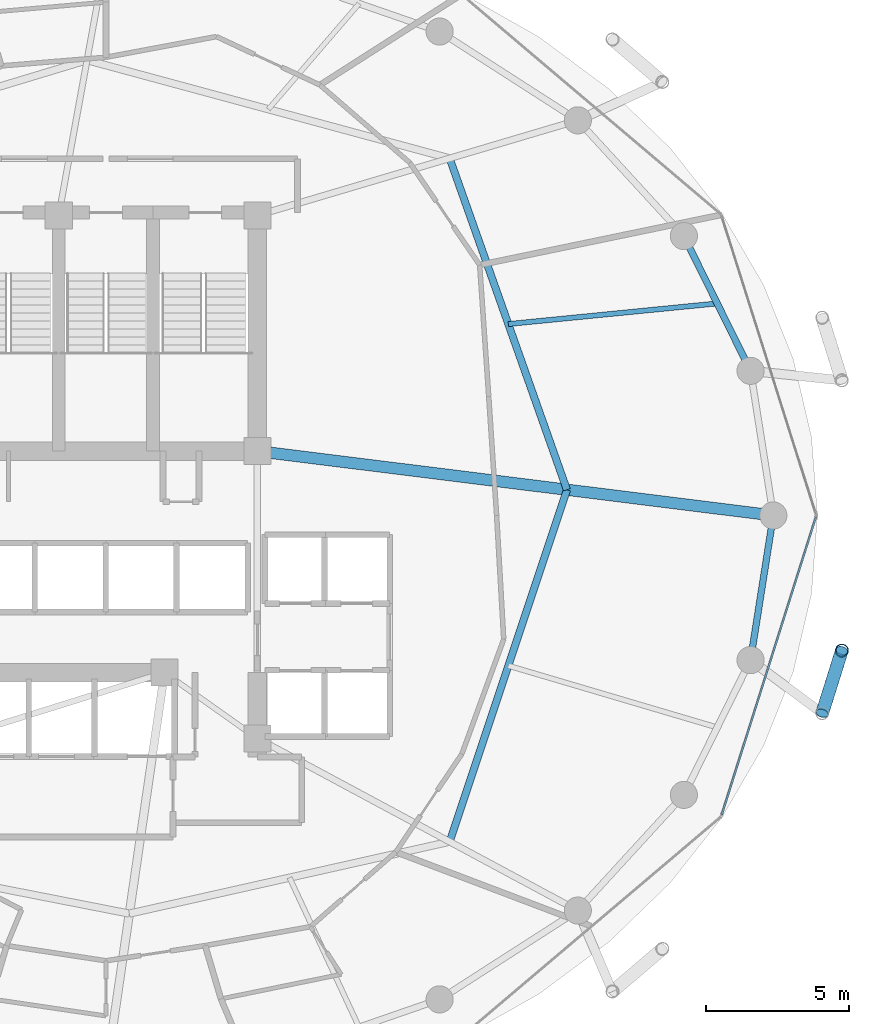
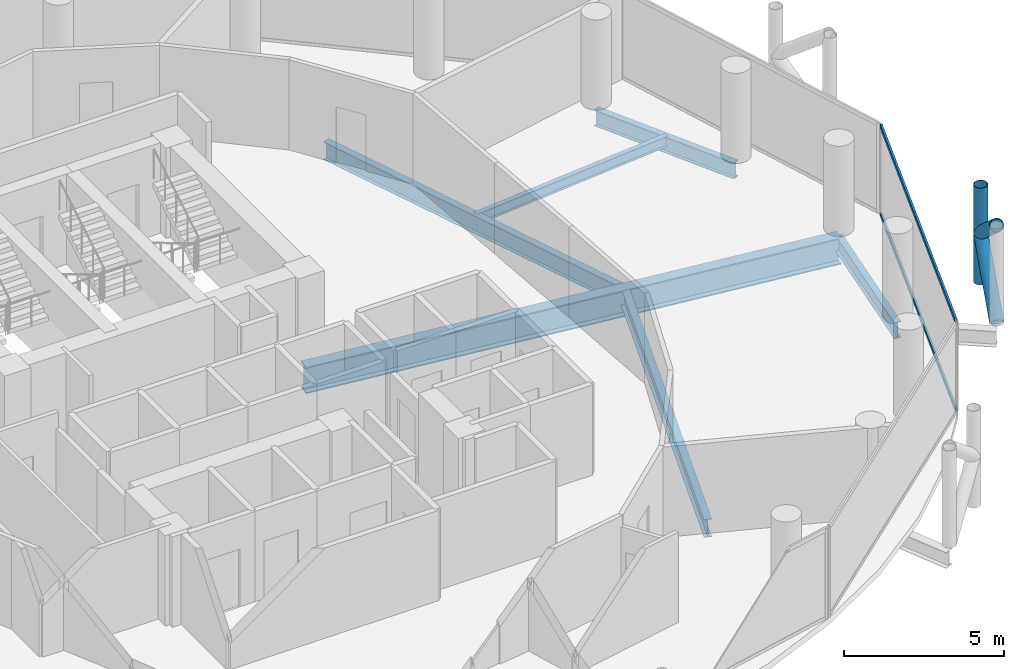
# One storey, part 11 of 26: 6 beams, 5 members, 1 element without a shape of its own.
"""IFC4 building model written with IfcOpenShell, lengths in metres."""

import ifcopenshell
import ifcopenshell.guid

model = None  # the IFC model being written
_history = None  # IfcOwnerHistory: only IFC2X3 demands one
_inside = {}  # id of a spatial element -> (the spatial element, [elements in it])
_under = {}  # id of a project, library or spatial element -> (it, [spatial elements below it])
_declared = {}  # id of a project -> (the project, [libraries it declares])
_typed = {}  # id of a type object -> (the type object, [elements of that type])
_made_of = {}  # id of a material, layer set ... -> (it, [elements and type objects made of it])


def new_model(schema):
    """Start an empty IFC model of exactly this schema.

    Asked for "IFC4X3", IfcOpenShell would pick the latest addendum, in which some entities
    have other attributes; the version numbers below select the first issue.
    IFC2X3 requires an IfcOwnerHistory on every rooted entity: one is made here for all.
    """
    global model, _history
    if schema == "IFC4X3":
        model = ifcopenshell.file(schema_version=(4, 3, 0, 0))
    else:
        model = ifcopenshell.file(schema=schema)
    _inside.clear()
    _under.clear()
    _declared.clear()
    _typed.clear()
    _made_of.clear()
    _history = None
    if model.schema == "IFC2X3":
        org = make("IfcOrganization", Name="unknown")
        user = make(
            "IfcPersonAndOrganization",
            ThePerson=make("IfcPerson", FamilyName="unknown"),
            TheOrganization=org,
        )
        app = make(
            "IfcApplication",
            ApplicationDeveloper=org,
            Version="unknown",
            ApplicationFullName="unknown",
            ApplicationIdentifier="unknown",
        )
        _history = make(
            "IfcOwnerHistory",
            OwningUser=user,
            OwningApplication=app,
            ChangeAction="ADDED",
            CreationDate=0,
        )
    return model


def make(cls, **values):
    """One entity of the class cls with the attributes given. An attribute that is None is left unset."""
    return model.create_entity(
        cls, **{name: value for name, value in values.items() if value is not None}
    )


def rooted(cls, **values):
    """An entity with a GlobalId (a new one), such as an element, a storey or a relation."""
    return make(cls, GlobalId=ifcopenshell.guid.new(), OwnerHistory=_history, **values)


def si_unit(unit_type, name, prefix=None):
    """IfcSIUnit, for example si_unit("LENGTHUNIT", "METRE", prefix="MILLI")."""
    return make("IfcSIUnit", UnitType=unit_type, Prefix=prefix, Name=name)


def assignment(units):
    """IfcUnitAssignment: the units of a project."""
    return None if units is None else make("IfcUnitAssignment", Units=units)


def point(xyz):
    """IfcCartesianPoint."""
    return None if xyz is None else make("IfcCartesianPoint", Coordinates=xyz)


def direction(xyz):
    """IfcDirection."""
    return None if xyz is None else make("IfcDirection", DirectionRatios=xyz)


def frame(location, z_axis=None, x_axis=None):
    """IfcAxis2Placement3D, a coordinate frame: its origin and axes. An axis left out is left unset."""
    return make(
        "IfcAxis2Placement3D",
        Location=point(location),
        Axis=direction(z_axis),
        RefDirection=direction(x_axis),
    )


def frame_2d(location, x_axis=None):
    """IfcAxis2Placement2D, a coordinate frame in the plane: its origin and x axis."""
    return make(
        "IfcAxis2Placement2D", Location=point(location), RefDirection=direction(x_axis)
    )


def origin():
    """The frame at (0, 0, 0) with its axes left unset."""
    return frame((0.0, 0.0, 0.0))


def origin_2d():
    """The frame at (0, 0) in the plane with its x axis left unset."""
    return frame_2d((0.0, 0.0))


def place(relative_to, where):
    """IfcLocalPlacement: puts the frame where relative to a parent placement (None: the world)."""
    return make(
        "IfcLocalPlacement", PlacementRelTo=relative_to, RelativePlacement=where
    )


def context(
    kind, dimensions, precision=None, world=None, true_north=None, identifier=None
):
    """IfcGeometricRepresentationContext, for example the 3D "Model" context."""
    return make(
        "IfcGeometricRepresentationContext",
        ContextIdentifier=identifier,
        ContextType=kind,
        CoordinateSpaceDimension=dimensions,
        Precision=precision,
        WorldCoordinateSystem=world,
        TrueNorth=true_north,
    )


def subcontext(parent, identifier, kind, view, scale=None):
    """IfcGeometricRepresentationSubContext, for example "Body" below "Model"."""
    return make(
        "IfcGeometricRepresentationSubContext",
        ContextIdentifier=identifier,
        ContextType=kind,
        ParentContext=parent,
        TargetScale=scale,
        TargetView=view,
    )


def project(units=None, contexts=None):
    """IfcProject with its units and contexts."""
    return rooted(
        "IfcProject",
        Name="project",
        RepresentationContexts=contexts,
        UnitsInContext=assignment(units),
    )


def spatial(cls, under=None, at=None, **own):
    """A site, building, storey or space (cls), placed at a placement, below another one or the project."""
    s = rooted(cls, ObjectPlacement=at, **own)
    if under is not None:
        _under.setdefault(under.id(), (under, []))[1].append(s)
    return s


def profile(cls, at=None, kind="AREA", **sizes):
    """A parametric profile (cls). Its sizes go by their IFC names, for example OverallWidth=200.0."""
    return make(cls, ProfileType=kind, Position=at, **sizes)


def hollow_rectangle(**sizes):
    """IfcRectangleHollowProfileDef."""
    return profile("IfcRectangleHollowProfileDef", **sizes)


def hollow_circle(**sizes):
    """IfcCircleHollowProfileDef."""
    return profile("IfcCircleHollowProfileDef", **sizes)


def i_section(**sizes):
    """IfcIShapeProfileDef."""
    return profile("IfcIShapeProfileDef", **sizes)


def extrude(swept, where, along, depth):
    """IfcExtrudedAreaSolid: the profile swept, set in the frame where, extruded along a direction by depth."""
    return make(
        "IfcExtrudedAreaSolid",
        SweptArea=swept,
        Position=where,
        ExtrudedDirection=direction(along),
        Depth=depth,
    )


def shape(context_of_items, identifier, shape_type, items):
    """IfcShapeRepresentation: the items that make up one representation, for example the "Body"."""
    return make(
        "IfcShapeRepresentation",
        ContextOfItems=context_of_items,
        RepresentationIdentifier=identifier,
        RepresentationType=shape_type,
        Items=items,
    )


def material(Name=None, Category=None):
    """IfcMaterial."""
    return make("IfcMaterial", Name=Name, Category=Category)


def layer(
    of_material, thickness, ventilated=None, Name=None, Category=None, Priority=None
):
    """IfcMaterialLayer: one layer of a wall or slab, of a material (None: an air gap)."""
    return make(
        "IfcMaterialLayer",
        Material=of_material,
        LayerThickness=thickness,
        IsVentilated=ventilated,
        Name=Name,
        Category=Category,
        Priority=Priority,
    )


def layer_set(layers, Name=None):
    """IfcMaterialLayerSet."""
    return make("IfcMaterialLayerSet", MaterialLayers=layers, LayerSetName=Name)


def material_profile(
    of_material, cross_section, Name=None, Category=None, Priority=None
):
    """IfcMaterialProfile: a cross section and its material."""
    return make(
        "IfcMaterialProfile",
        Name=Name,
        Material=of_material,
        Profile=cross_section,
        Priority=Priority,
        Category=Category,
    )


def profile_set(profiles, Name=None, composite=None):
    """IfcMaterialProfileSet."""
    return make(
        "IfcMaterialProfileSet",
        Name=Name,
        MaterialProfiles=profiles,
        CompositeProfile=composite,
    )


def made_of(thing, what):
    """Note that an element or type object is made of a material, layer set ...; save() writes the relation."""
    if what is not None:
        _made_of.setdefault(what.id(), (what, []))[1].append(thing)
    return thing


def type_object(cls, material=None, **own):
    """A type object (cls), such as IfcWallType, which elements share."""
    return made_of(rooted(cls, **own), material)


def element(
    cls,
    number,
    at=None,
    inside=None,
    cuts=None,
    type_object=None,
    material=None,
    context=None,
    identifier="Body",
    shape_type=None,
    held_by="IfcProductDefinitionShape",
    body=None,
    shapes=None,
    **own,
):
    """One element of the class cls, such as IfcWall. Its Tag is "e" and its number.

    at: its placement. inside: the storey or other place that contains it. cuts: it is an
    opening in that element (IfcRelVoidsElement). A single representation is given by context,
    identifier, shape_type and body (its items); several are given by shapes. held_by: the class
    of the entity that holds the representations. save() writes the other relations.
    """
    e = rooted(cls, Tag="e%d" % number, ObjectPlacement=at, **own)
    if body is not None:
        shapes = [shape(context, identifier, shape_type, body)]
    if shapes is not None:
        e.Representation = make(held_by, Representations=shapes)
    if inside is not None:
        _inside.setdefault(inside.id(), (inside, []))[1].append(e)
    if cuts is not None:
        rooted(
            "IfcRelVoidsElement", RelatingBuildingElement=cuts, RelatedOpeningElement=e
        )
    if type_object is not None:
        _typed.setdefault(type_object.id(), (type_object, []))[1].append(e)
    return made_of(e, material)


def aggregate(whole, parts):
    """IfcRelAggregates: a whole, such as a stair, and the parts it consists of."""
    return rooted("IfcRelAggregates", RelatingObject=whole, RelatedObjects=parts)


def save(model, path):
    """Write the relations noted so far, then the file.

    IfcRelAggregates (storeys below a building ...), IfcRelContainedInSpatialStructure (elements
    in a storey), IfcRelDefinesByType, IfcRelAssociatesMaterial and IfcRelDeclares: one each for
    every whole, place, type object, material and project.
    """
    for whole, parts in _under.values():
        aggregate(whole, parts)
    for where, things in _inside.values():
        rooted(
            "IfcRelContainedInSpatialStructure",
            RelatedElements=things,
            RelatingStructure=where,
        )
    for kind, things in _typed.values():
        rooted("IfcRelDefinesByType", RelatedObjects=things, RelatingType=kind)
    for what, things in _made_of.values():
        rooted("IfcRelAssociatesMaterial", RelatedObjects=things, RelatingMaterial=what)
    for by, libraries in _declared.values():
        rooted("IfcRelDeclares", RelatingContext=by, RelatedDefinitions=libraries)
    model.write(path)


model = new_model("IFC4")

# Units and contexts
model_context = context("Model", 3, precision=1e-05, world=origin(), true_north=direction((0.0, 1.0)))
body_context = subcontext(model_context, "Body", "Model", "MODEL_VIEW")
ifc_project = project(units=[si_unit("LENGTHUNIT", "METRE"), si_unit("AREAUNIT", "SQUARE_METRE"), si_unit("VOLUMEUNIT", "CUBIC_METRE"), si_unit("PLANEANGLEUNIT", "RADIAN"), si_unit("MASSUNIT", "GRAM", prefix="KILO")], contexts=[model_context])

# Site, building, storey
site_placement = place(None, origin())
site = spatial("IfcSite", under=ifc_project, at=site_placement, CompositionType="ELEMENT")
building_placement = place(site_placement, origin())
building = spatial("IfcBuilding", under=site, at=building_placement, Name="Nuhasar Tower", CompositionType="ELEMENT")
storey_placement = place(building_placement, frame((0.0, 0.0, 140.449951171875)))
storey = spatial("IfcBuildingStorey", under=building, at=storey_placement, Name="L33", CompositionType="ELEMENT", Elevation=140.449951171875)

# Beams
ifc_material_1 = material(Name="Steel S355", Category="steel")
ifc_material_profile_1 = material_profile(ifc_material_1, i_section(OverallWidth=0.25390625, OverallDepth=0.68408203125, WebThickness=0.012451171875, FlangeThickness=0.018798828125, at=origin_2d()), Name="W27X94")
ifc_profile_set_1 = profile_set([ifc_material_profile_1], Name="Steel S355")
beam_type_1 = type_object("IfcBeamType", Name="BM-INRING-W27X94", PredefinedType="BEAM", material=ifc_profile_set_1)
beam_1_placement = place(storey_placement, frame((51.027099609375, 15.385986328125, -0.592041015625), z_axis=(0.31609797573, 0.948726551615, 0.0), x_axis=(-0.948726551615, 0.31609797573, 0.0)))
element("IfcBeam", 1, at=beam_1_placement, inside=storey, type_object=beam_type_1, Name="L33 Inner Header Beam 03", PredefinedType="BEAM", context=body_context, shape_type="SweptSolid", body=[
    extrude(i_section(OverallWidth=0.25390625, OverallDepth=0.68408203125, WebThickness=0.012451171875, FlangeThickness=0.018798828125, at=origin_2d()), origin(), (0.0, 0.0, 1.0), 12.9794921875),
])
beam_2_placement = place(storey_placement, frame((55.1298828125, 27.699951171875, -0.592041015625), z_axis=(-0.333599821096, 0.942714781556, 0.0), x_axis=(-0.942714781556, -0.333599821096, 0.0)))
element("IfcBeam", 2, at=beam_2_placement, inside=storey, type_object=beam_type_1, Name="L33 Inner Header Beam 04", PredefinedType="BEAM", context=body_context, shape_type="SweptSolid", body=[
    extrude(i_section(OverallWidth=0.25390625, OverallDepth=0.68408203125, WebThickness=0.012451171875, FlangeThickness=0.018798828125, at=origin_2d()), origin(), (0.0, 0.0, 1.0), 12.298583984375),
])
ifc_material_profile_2 = material_profile(ifc_material_1, i_section(OverallWidth=0.177978515625, OverallDepth=0.406005859375, WebThickness=0.0078125, FlangeThickness=0.0126953125, at=origin_2d()), Name="W16X40")
ifc_profile_set_2 = profile_set([ifc_material_profile_2], Name="Steel S355")
beam_type_2 = type_object("IfcBeamType", Name="BM-JST-W16X40", PredefinedType="JOIST", material=ifc_profile_set_2)
beam_3_placement = place(storey_placement, frame((53.0791015625, 33.4970703125, -0.452880859375), z_axis=(0.995170244515, 0.098164068947, 0.0), x_axis=(-0.098164068947, 0.995170244515, 0.0)))
element("IfcBeam", 3, at=beam_3_placement, inside=storey, type_object=beam_type_2, Name="L33 Secondary Floor Joist 04", PredefinedType="JOIST", context=body_context, shape_type="SweptSolid", body=[
    extrude(i_section(OverallWidth=0.177978515625, OverallDepth=0.406005859375, WebThickness=0.0078125, FlangeThickness=0.0126953125, at=origin_2d()), origin(), (0.0, 0.0, 1.0), 7.34423828125),
])
ifc_material_profile_3 = material_profile(ifc_material_1, i_section(OverallWidth=0.22998046875, OverallDepth=0.616943359375, WebThickness=0.01318359375, FlangeThickness=0.022216796875, at=origin_2d()), Name="W24X94")
ifc_profile_set_3 = profile_set([ifc_material_profile_3], Name="Steel S355")
beam_type_3 = type_object("IfcBeamType", Name="BM-RING-W24X94", PredefinedType="SPANDREL", material=ifc_profile_set_3)
beam_4_placement = place(storey_placement, frame((61.553955078125, 31.860107421875, -0.558837890625), z_axis=(-0.443347771709, 0.896349682501, 0.0), x_axis=(-0.896349682501, -0.443347771709, 0.0)))
element("IfcBeam", 4, at=beam_4_placement, inside=storey, type_object=beam_type_3, Name="L33 Perimeter Ring Spandrel 02", PredefinedType="SPANDREL", context=body_context, shape_type="SweptSolid", body=[
    extrude(i_section(OverallWidth=0.22998046875, OverallDepth=0.616943359375, WebThickness=0.01318359375, FlangeThickness=0.022216796875, at=origin_2d()), origin(), (0.0, 0.0, 1.0), 5.260009765625),
])
beam_5_placement = place(storey_placement, frame((61.553955078125, 21.739990234375, -0.558837890625), z_axis=(0.155426543608, 0.987847452566, 0.0), x_axis=(-0.987847452566, 0.155426543608, 0.0)))
element("IfcBeam", 5, at=beam_5_placement, inside=storey, type_object=beam_type_3, Name="L33 Perimeter Ring Spandrel 24", PredefinedType="SPANDREL", context=body_context, shape_type="SweptSolid", body=[
    extrude(i_section(OverallWidth=0.22998046875, OverallDepth=0.616943359375, WebThickness=0.01318359375, FlangeThickness=0.022216796875, at=origin_2d()), origin(), (0.0, 0.0, 1.0), 5.122314453125),
])
ifc_material_2 = material(Name="Steel S460", Category="steel")
ifc_material_profile_4 = material_profile(ifc_material_2, i_section(OverallWidth=0.40087890625, OverallDepth=1.010009765625, WebThickness=0.023681640625, FlangeThickness=0.0419921875, at=origin_2d()), Name="W40X297")
ifc_profile_set_4 = profile_set([ifc_material_profile_4], Name="Steel S460")
beam_type_4 = type_object("IfcBeamType", Name="BM-XFER-W40X297", PredefinedType="USERDEFINED", material=ifc_profile_set_4)
beam_6_placement = place(storey_placement, frame((44.300048828125, 29.050048828125, -0.7548828125), z_axis=(0.992320149485, -0.123696082908, 0.0), x_axis=(0.123696082908, 0.992320149485, 0.0)))
element("IfcBeam", 6, at=beam_6_placement, inside=storey, type_object=beam_type_4, Name="L33 Radial Floor Girder 04", ObjectType="GIRDER", PredefinedType="USERDEFINED", context=body_context, shape_type="SweptSolid", body=[
    extrude(i_section(OverallWidth=0.40087890625, OverallDepth=1.010009765625, WebThickness=0.023681640625, FlangeThickness=0.0419921875, at=origin_2d()), origin(), (0.0, 0.0, 1.0), 18.189697265625),
])

# Curtain wall, members
ifc_material_3 = material(Name="Aluminium 6063-T6", Category="aluminium")
ifc_layer = layer(ifc_material_3, 0.199951171875)
ifc_layer_set = layer_set([ifc_layer], Name="Aluminium 6063-T6")
curtain_wall_type = type_object("IfcCurtainWallType", Name="CW-Z2-HTL", PredefinedType="NOTDEFINED", material=ifc_layer_set)
curtain_wall_placement = place(storey_placement, origin())
curtain_wall = element("IfcCurtainWall", 7, at=curtain_wall_placement, inside=storey, type_object=curtain_wall_type, Name="L33 Unitised Curtain Wall 12", PredefinedType="NOTDEFINED")
ifc_material_profile_5 = material_profile(ifc_material_3, hollow_rectangle(XDim=0.070068359375, YDim=0.159912109375, WallThickness=0.00439453125, at=origin_2d()), Name="CWT-3")
ifc_profile_set_5 = profile_set([ifc_material_profile_5], Name="Aluminium 6063-T6")
member_type_1 = type_object("IfcMemberType", Name="CW-TRN-S3", PredefinedType="USERDEFINED", material=ifc_profile_set_5)
member_1_placement = place(storey_placement, frame((60.550048828125, 16.336669921875, 0.03515625), z_axis=(0.301608163352, 0.953431967053, 0.0), x_axis=(-0.953431967053, 0.301608163352, 0.0)))
member_1 = element("IfcMember", 8, at=member_1_placement, type_object=member_type_1, Name="CW-Z2 transom 1.1", ObjectType="TRANSOM", PredefinedType="USERDEFINED", context=body_context, shape_type="SweptSolid", body=[
    extrude(hollow_rectangle(XDim=0.070068359375, YDim=0.159912109375, WallThickness=0.00439453125, at=origin_2d()), origin(), (0.0, 0.0, 1.0), 10.904296875),
])
member_2_placement = place(storey_placement, frame((60.550048828125, 16.336669921875, 3.4150390625), z_axis=(0.301608163352, 0.953431967053, 0.0), x_axis=(-0.953431967053, 0.301608163352, 0.0)))
member_2 = element("IfcMember", 9, at=member_2_placement, type_object=member_type_1, Name="CW-Z2 transom 1.2", ObjectType="TRANSOM", PredefinedType="USERDEFINED", context=body_context, shape_type="SweptSolid", body=[
    extrude(hollow_rectangle(XDim=0.070068359375, YDim=0.159912109375, WallThickness=0.00439453125, at=origin_2d()), origin(), (0.0, 0.0, 1.0), 10.904296875),
])
aggregate(curtain_wall, [member_1, member_2])

# Members
ifc_material_profile_6 = material_profile(ifc_material_2, hollow_circle(Radius=0.228515625, WallThickness=0.022216796875, at=origin_2d()), Name="HSS457X22.2")
ifc_profile_set_6 = profile_set([ifc_material_profile_6], Name="Steel S460")
member_type_2 = type_object("IfcMemberType", Name="EXO-BRONZE-457", PredefinedType="BRACE", material=ifc_profile_set_6)
member_3_placement = place(storey_placement, frame((64.748046875, 22.073974609375, 0.0), z_axis=(0.0, 0.0, 1.0), x_axis=(1.0, 0.0, 0.0)))
element("IfcMember", 10, at=member_3_placement, inside=storey, type_object=member_type_2, Name="L33 Exoskeleton Chord Column EC-12B", PredefinedType="BRACE", context=body_context, shape_type="SweptSolid", body=[
    extrude(hollow_circle(Radius=0.228515625, WallThickness=0.022216796875, at=origin_2d()), origin(), (0.0, 0.0, 1.0), 3.699951171875),
])
member_4_placement = place(storey_placement, frame((64.06005859375, 19.87890625, 0.0), z_axis=(0.233055548538, 0.743577869731, 0.626719285599), x_axis=(-0.954228474306, 0.29907861646, 0.0)))
element("IfcMember", 11, at=member_4_placement, inside=storey, type_object=member_type_2, Name="L33 Bronze Diagrid Brace W1-12", PredefinedType="BRACE", context=body_context, shape_type="SweptSolid", body=[
    extrude(hollow_circle(Radius=0.228515625, WallThickness=0.022216796875, at=origin_2d()), origin(), (0.0, 0.0, 1.0), 2.9521484375),
])
member_5_placement = place(storey_placement, frame((64.748046875, 22.073974609375, 1.85009765625), z_axis=(-0.233067628236, -0.74361641074, 0.626669062861), x_axis=(0.954228474306, -0.29907861646, 0.0)))
element("IfcMember", 12, at=member_5_placement, inside=storey, type_object=member_type_2, Name="L33 Bronze Diagrid Brace W2-12", PredefinedType="BRACE", context=body_context, shape_type="SweptSolid", body=[
    extrude(hollow_circle(Radius=0.228515625, WallThickness=0.022216796875, at=origin_2d()), origin(), (0.0, 0.0, 1.0), 2.951904296875),
])

save(model, "model.ifc")
